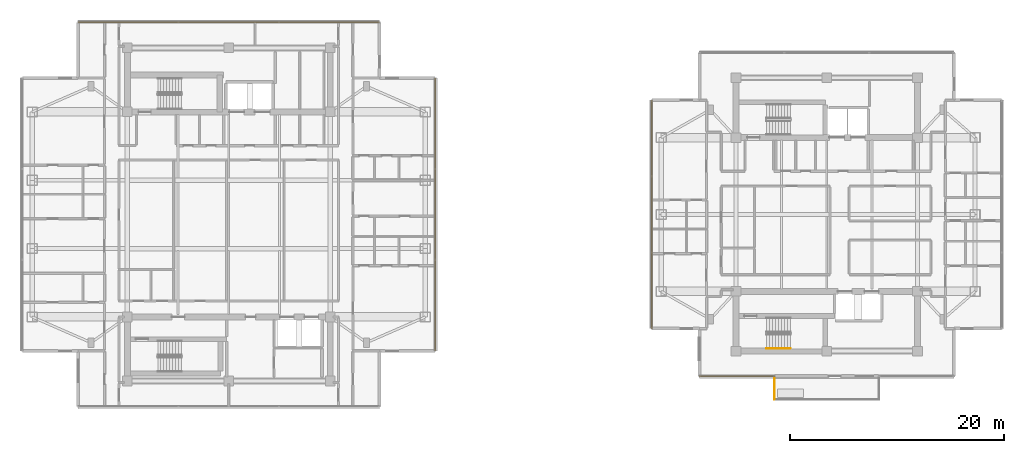
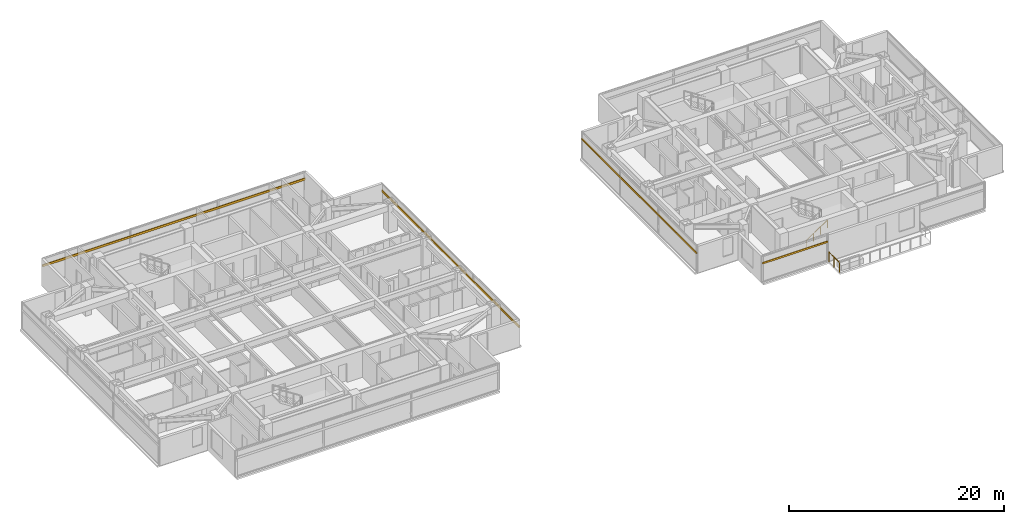
# One storey, part 21 of 23: 4 shading devices, 2 railings.
"""IFC4 building model written with IfcOpenShell, lengths in metres."""

from ifc_helpers import new_model, si_unit, direction, frame, origin, origin_2d, place, context, subcontext, project, spatial, rectangle, circle, extrude, material, material_profile, profile_set, type_object, element, save


model = new_model("IFC4")

# Units and contexts
model_context = context("Model", 3, precision=1e-05, world=origin(), true_north=direction((0.0, 1.0)))
body_context = subcontext(model_context, "Body", "Model", "MODEL_VIEW")
ifc_project = project(units=[si_unit("LENGTHUNIT", "METRE"), si_unit("AREAUNIT", "SQUARE_METRE"), si_unit("VOLUMEUNIT", "CUBIC_METRE"), si_unit("PLANEANGLEUNIT", "RADIAN"), si_unit("MASSUNIT", "GRAM", prefix="KILO")], contexts=[model_context])

# Site, building, storey
site_placement = place(None, origin())
site = spatial("IfcSite", under=ifc_project, at=site_placement, CompositionType="ELEMENT")
building_placement = place(site_placement, origin())
building = spatial("IfcBuilding", under=site, at=building_placement, Name="Mirazonda Arch Towers", CompositionType="ELEMENT")
storey_placement = place(building_placement, frame((0.0, 0.0, 183.64990234375)))
storey = spatial("IfcBuildingStorey", under=building, at=storey_placement, Name="L52", CompositionType="ELEMENT", Elevation=183.64990234375)

# Shading devices
ifc_material_1 = material(Name="Kiln-Fired Architectural Terracotta", Category="masonry")
ifc_material_profile_1 = material_profile(ifc_material_1, rectangle(XDim=0.1201171875, YDim=0.239990234375, at=origin_2d()), Name="TERRA-BAG-120x240")
ifc_profile_set_1 = profile_set([ifc_material_profile_1], Name="Kiln-Fired Architectural Terracotta")
shading_device_type_1 = type_object("IfcShadingDeviceType", Name="BAGUETTE-1", PredefinedType="USERDEFINED", material=ifc_profile_set_1)
shading_device_1_placement = place(storey_placement, frame((39.830078125, 15.22509765625, 2.181640625), z_axis=(0.0, 1.0, 0.0), x_axis=(-1.0, 0.0, 0.0)))
element("IfcShadingDevice", 1, at=shading_device_1_placement, inside=storey, type_object=shading_device_type_1, Name="L52 Glazed Terracotta Sun-Screen Baguette CW-L52-T1-E", ObjectType="BAGUETTE", PredefinedType="USERDEFINED", context=body_context, shape_type="SweptSolid", body=[
    extrude(rectangle(XDim=0.1201171875, YDim=0.239990234375, at=origin_2d()), origin(), (0.0, 0.0, 1.0), 25.5498046875),
])
shading_device_2_placement = place(storey_placement, frame((6.385009765625, 45.989990234375, 2.181640625), z_axis=(1.0, 0.0, 0.0), x_axis=(0.0, 1.0, 0.0)))
element("IfcShadingDevice", 2, at=shading_device_2_placement, inside=storey, type_object=shading_device_type_1, Name="L52 Glazed Terracotta Sun-Screen Baguette CW-L52-T1-N", ObjectType="BAGUETTE", PredefinedType="USERDEFINED", context=body_context, shape_type="SweptSolid", body=[
    extrude(rectangle(XDim=0.1201171875, YDim=0.239990234375, at=origin_2d()), origin(), (0.0, 0.0, 1.0), 28.22998046875),
])
ifc_material_profile_2 = material_profile(ifc_material_1, rectangle(XDim=0.10009765625, YDim=0.199951171875, at=origin_2d()), Name="TERRA-BAG-100x200")
ifc_profile_set_2 = profile_set([ifc_material_profile_2], Name="Kiln-Fired Architectural Terracotta")
shading_device_type_2 = type_object("IfcShadingDeviceType", Name="BAGUETTE-2", PredefinedType="USERDEFINED", material=ifc_profile_set_2)
shading_device_3_placement = place(storey_placement, frame((71.610107421875, 12.861572265625, 2.181640625), z_axis=(-1.0, 0.0, 0.0), x_axis=(0.0, -1.0, 0.0)))
element("IfcShadingDevice", 3, at=shading_device_3_placement, inside=storey, type_object=shading_device_type_2, Name="L52 Glazed Terracotta Sun-Screen Baguette CW-L52-T2-SB", ObjectType="BAGUETTE", PredefinedType="USERDEFINED", context=body_context, shape_type="SweptSolid", body=[
    extrude(rectangle(XDim=0.10009765625, YDim=0.199951171875, at=origin_2d()), origin(), (0.0, 0.0, 1.0), 7.0478515625),
])
shading_device_4_placement = place(storey_placement, frame((60.12255859375, 38.69873046875, 2.181640625), z_axis=(0.0, -1.0, 0.0), x_axis=(1.0, 0.0, 0.0)))
element("IfcShadingDevice", 4, at=shading_device_4_placement, inside=storey, type_object=shading_device_type_2, Name="L52 Glazed Terracotta Sun-Screen Baguette CW-L52-T2-W", ObjectType="BAGUETTE", PredefinedType="USERDEFINED", context=body_context, shape_type="SweptSolid", body=[
    extrude(rectangle(XDim=0.10009765625, YDim=0.199951171875, at=origin_2d()), origin(), (0.0, 0.0, 1.0), 21.3974609375),
])

# Railings
ifc_material_2 = material(Name="Architectural Brushed Steel S355", Category="steel")
railing_type_1 = type_object("IfcRailingType", Name="GUARD-EXT-1150", PredefinedType="GUARDRAIL", material=ifc_material_2)
railing_1_placement = place(storey_placement, frame((71.60009765625, 10.69140625, 0.0)))
element("IfcRailing", 5, at=railing_1_placement, inside=storey, type_object=railing_type_1, Name="L52 T2 Sky-Terrace Guard 03", PredefinedType="GUARDRAIL", context=body_context, shape_type="SweptSolid", body=[
    extrude(circle(Radius=0.02392578125, at=origin_2d()), frame((0.0, 0.0, 1.1259765625), z_axis=(0.0, 1.0, 0.0), x_axis=(-1.0, 0.0, 0.0)), (0.0, 0.0, 1.0), 1.960205078125),
    extrude(circle(Radius=0.02099609375, at=origin_2d()), origin(), (0.0, 0.0, 1.0), 1.101806640625),
    extrude(circle(Radius=0.02099609375, at=origin_2d()), frame((0.0, 0.97998046875, 0.0)), (0.0, 0.0, 1.0), 1.101806640625),
    extrude(circle(Radius=0.02099609375, at=origin_2d()), frame((0.0, 1.960205078125, 0.0)), (0.0, 0.0, 1.0), 1.101806640625),
])
railing_type_2 = type_object("IfcRailingType", Name="HANDRAIL-915", PredefinedType="HANDRAIL", material=ifc_material_2)
railing_2_placement = place(storey_placement, frame((70.85009765625, 15.469970703125, 0.1806640625)))
element("IfcRailing", 6, at=railing_2_placement, inside=storey, type_object=railing_type_2, Name="L52 ST-T2S stair handrail 1", PredefinedType="HANDRAIL", context=body_context, shape_type="SweptSolid", body=[
    extrude(circle(Radius=0.02392578125, at=origin_2d()), frame((0.0, 0.0, 0.8759765625), z_axis=(0.840436612492, 0.0, 0.541909863706), x_axis=(0.0, 1.0, 0.0)), (0.0, 0.0, 1.0), 2.665283203125),
    extrude(circle(Radius=0.02099609375, at=origin_2d()), origin(), (0.0, 0.0, 1.0), 0.851806640625),
    extrude(circle(Radius=0.02099609375, at=origin_2d()), frame((0.74658203125, 0.0, 0.4814453125)), (0.0, 0.0, 1.0), 0.851806640625),
    extrude(circle(Radius=0.02099609375, at=origin_2d()), frame((1.493408203125, 0.0, 0.962890625)), (0.0, 0.0, 1.0), 0.851806640625),
    extrude(circle(Radius=0.02099609375, at=origin_2d()), frame((2.239990234375, 0.0, 1.4443359375)), (0.0, 0.0, 1.0), 0.851806640625),
])

save(model, "model.ifc")
